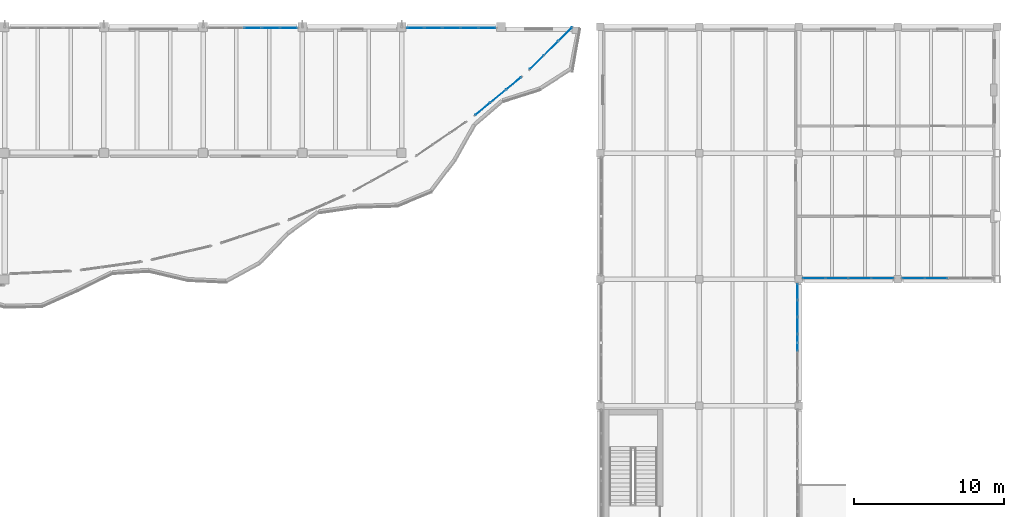
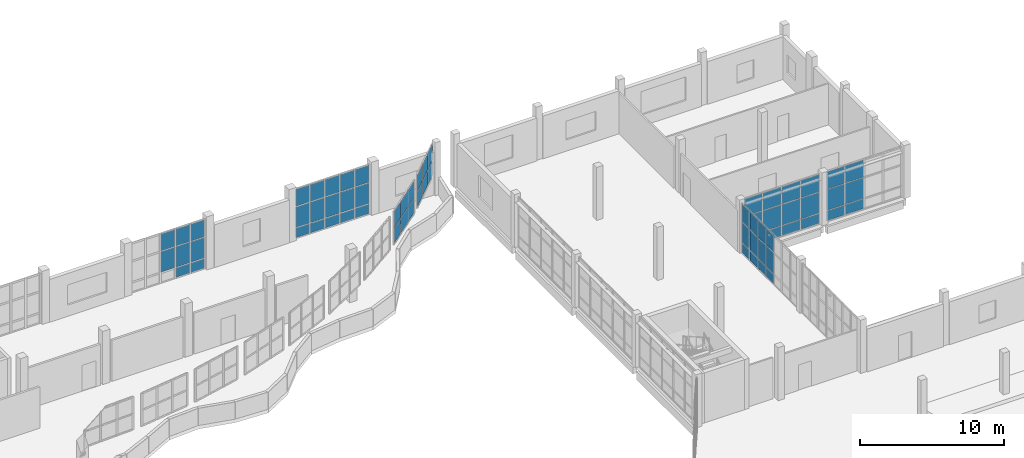
# One storey, part 42 of 76: 65 plates, 7 elements without a shape of their own.
"""IFC4 building model written with IfcOpenShell, lengths in metres."""

from ifc_helpers import new_model, si_unit, direction, frame, origin, origin_2d, place, context, subcontext, project, spatial, rectangle, extrude, material, layer, layer_set, type_object, element, aggregate, save


model = new_model("IFC4")

# Units and contexts
model_context = context("Model", 3, precision=1e-05, world=origin(), true_north=direction((0.0, 1.0)))
body_context = subcontext(model_context, "Body", "Model", "MODEL_VIEW")
ifc_project = project(units=[si_unit("LENGTHUNIT", "METRE"), si_unit("AREAUNIT", "SQUARE_METRE"), si_unit("VOLUMEUNIT", "CUBIC_METRE"), si_unit("PLANEANGLEUNIT", "RADIAN"), si_unit("MASSUNIT", "GRAM", prefix="KILO")], contexts=[model_context])

# Site, building, storey
site_placement = place(None, origin())
site = spatial("IfcSite", under=ifc_project, at=site_placement, CompositionType="ELEMENT")
building_placement = place(site_placement, origin())
building = spatial("IfcBuilding", under=site, at=building_placement, Name="Qaldarim Faculty of Natural and Applied Sciences", CompositionType="ELEMENT")
storey_placement = place(building_placement, frame((0.0, 0.0, 9.89990234375)))
storey = spatial("IfcBuildingStorey", under=building, at=storey_placement, Name="L02", CompositionType="ELEMENT", Elevation=9.89990234375)

# Curtain wall, plates
ifc_material_1 = material(Name="Anodised aluminium AW-6063", Category="aluminium")
curtain_wall_type_1 = type_object("IfcCurtainWallType", Name="CurtainWallSystem-M1200", PredefinedType="USERDEFINED", material=ifc_material_1)
curtain_wall_1_placement = place(storey_placement, origin())
curtain_wall_1 = element("IfcCurtainWall", 1, at=curtain_wall_1_placement, inside=storey, type_object=curtain_wall_type_1, Name="Curtain wall CW-L02-N-X20Y14", ObjectType="STICK CURTAIN WALL", PredefinedType="USERDEFINED")
ifc_material_2 = material(Name="Insulated low-e double glazing", Category="glass")
ifc_layer_1 = layer(ifc_material_2, 0.031982421875)
ifc_layer_set_1 = layer_set([ifc_layer_1], Name="Insulated low-e double glazing")
plate_type_1 = type_object("IfcPlateType", Name="SolarControlGlazingPanel-32", PredefinedType="CURTAIN_PANEL", material=ifc_layer_set_1)
plate_1_placement = place(storey_placement, frame((131.08642578125, 117.52001953125, 0.070068359375), z_axis=(0.0, 0.0, 1.0), x_axis=(-1.0, 0.0, 0.0)))
plate_1 = element("IfcPlate", 2, at=plate_1_placement, type_object=plate_type_1, Name="Glazed panel 1-1 of CW-L02-N-X20Y14", PredefinedType="CURTAIN_PANEL", context=body_context, shape_type="SweptSolid", body=[
    extrude(rectangle(XDim=1.096923828125, YDim=0.031982421875, at=origin_2d()), origin(), (0.0, 0.0, 1.0), 0.794921875),
])
plate_2_placement = place(storey_placement, frame((131.08642578125, 117.52001953125, 0.93505859375), z_axis=(0.0, 0.0, 1.0), x_axis=(-1.0, 0.0, 0.0)))
plate_2 = element("IfcPlate", 3, at=plate_2_placement, type_object=plate_type_1, Name="Glazed panel 1-2 of CW-L02-N-X20Y14", PredefinedType="CURTAIN_PANEL", context=body_context, shape_type="SweptSolid", body=[
    extrude(rectangle(XDim=1.096923828125, YDim=0.031982421875, at=origin_2d()), origin(), (0.0, 0.0, 1.0), 1.72998046875),
])
plate_3_placement = place(storey_placement, frame((131.08642578125, 117.52001953125, 2.735107421875), z_axis=(0.0, 0.0, 1.0), x_axis=(-1.0, 0.0, 0.0)))
plate_3 = element("IfcPlate", 4, at=plate_3_placement, type_object=plate_type_1, Name="Glazed panel 1-3 of CW-L02-N-X20Y14", PredefinedType="CURTAIN_PANEL", context=body_context, shape_type="SweptSolid", body=[
    extrude(rectangle(XDim=1.096923828125, YDim=0.031982421875, at=origin_2d()), origin(), (0.0, 0.0, 1.0), 1.43505859375),
])
plate_4_placement = place(storey_placement, frame((129.902099609375, 117.52001953125, 0.070068359375), z_axis=(0.0, 0.0, 1.0), x_axis=(-1.0, 0.0, 0.0)))
plate_4 = element("IfcPlate", 5, at=plate_4_placement, type_object=plate_type_1, Name="Glazed panel 2-1 of CW-L02-N-X20Y14", PredefinedType="CURTAIN_PANEL", context=body_context, shape_type="SweptSolid", body=[
    extrude(rectangle(XDim=1.132080078125, YDim=0.031982421875, at=origin_2d()), origin(), (0.0, 0.0, 1.0), 0.794921875),
])
plate_5_placement = place(storey_placement, frame((129.902099609375, 117.52001953125, 0.93505859375), z_axis=(0.0, 0.0, 1.0), x_axis=(-1.0, 0.0, 0.0)))
plate_5 = element("IfcPlate", 6, at=plate_5_placement, type_object=plate_type_1, Name="Glazed panel 2-2 of CW-L02-N-X20Y14", PredefinedType="CURTAIN_PANEL", context=body_context, shape_type="SweptSolid", body=[
    extrude(rectangle(XDim=1.132080078125, YDim=0.031982421875, at=origin_2d()), origin(), (0.0, 0.0, 1.0), 1.72998046875),
])
plate_6_placement = place(storey_placement, frame((129.902099609375, 117.52001953125, 2.735107421875), z_axis=(0.0, 0.0, 1.0), x_axis=(-1.0, 0.0, 0.0)))
plate_6 = element("IfcPlate", 7, at=plate_6_placement, type_object=plate_type_1, Name="Glazed panel 2-3 of CW-L02-N-X20Y14", PredefinedType="CURTAIN_PANEL", context=body_context, shape_type="SweptSolid", body=[
    extrude(rectangle(XDim=1.132080078125, YDim=0.031982421875, at=origin_2d()), origin(), (0.0, 0.0, 1.0), 1.43505859375),
])
plate_7_placement = place(storey_placement, frame((128.699951171875, 117.52001953125, 0.93505859375), z_axis=(0.0, 0.0, 1.0), x_axis=(-1.0, 0.0, 0.0)))
plate_7 = element("IfcPlate", 8, at=plate_7_placement, type_object=plate_type_1, Name="Glazed panel 3-2 of CW-L02-N-X20Y14", PredefinedType="CURTAIN_PANEL", context=body_context, shape_type="SweptSolid", body=[
    extrude(rectangle(XDim=1.132080078125, YDim=0.031982421875, at=origin_2d()), origin(), (0.0, 0.0, 1.0), 1.72998046875),
])
plate_8_placement = place(storey_placement, frame((128.699951171875, 117.52001953125, 2.735107421875), z_axis=(0.0, 0.0, 1.0), x_axis=(-1.0, 0.0, 0.0)))
plate_8 = element("IfcPlate", 9, at=plate_8_placement, type_object=plate_type_1, Name="Glazed panel 3-3 of CW-L02-N-X20Y14", PredefinedType="CURTAIN_PANEL", context=body_context, shape_type="SweptSolid", body=[
    extrude(rectangle(XDim=1.132080078125, YDim=0.031982421875, at=origin_2d()), origin(), (0.0, 0.0, 1.0), 1.43505859375),
])
aggregate(curtain_wall_1, [plate_1, plate_2, plate_3, plate_4, plate_5, plate_6, plate_7, plate_8])

curtain_wall_2_placement = place(storey_placement, origin())
curtain_wall_2 = element("IfcCurtainWall", 10, at=curtain_wall_2_placement, inside=storey, type_object=curtain_wall_type_1, Name="Curtain wall CW-L02-N-X22Y14", ObjectType="STICK CURTAIN WALL", PredefinedType="USERDEFINED")
plate_9_placement = place(storey_placement, frame((144.28662109375, 117.52001953125, 0.070068359375), z_axis=(0.0, 0.0, 1.0), x_axis=(-1.0, 0.0, 0.0)))
plate_9 = element("IfcPlate", 11, at=plate_9_placement, type_object=plate_type_1, Name="Glazed panel 1-1 of CW-L02-N-X22Y14", PredefinedType="CURTAIN_PANEL", context=body_context, shape_type="SweptSolid", body=[
    extrude(rectangle(XDim=1.096923828125, YDim=0.031982421875, at=origin_2d()), origin(), (0.0, 0.0, 1.0), 0.794921875),
])
plate_10_placement = place(storey_placement, frame((144.28662109375, 117.52001953125, 0.93505859375), z_axis=(0.0, 0.0, 1.0), x_axis=(-1.0, 0.0, 0.0)))
plate_10 = element("IfcPlate", 12, at=plate_10_placement, type_object=plate_type_1, Name="Glazed panel 1-2 of CW-L02-N-X22Y14", PredefinedType="CURTAIN_PANEL", context=body_context, shape_type="SweptSolid", body=[
    extrude(rectangle(XDim=1.096923828125, YDim=0.031982421875, at=origin_2d()), origin(), (0.0, 0.0, 1.0), 1.72998046875),
])
plate_11_placement = place(storey_placement, frame((144.28662109375, 117.52001953125, 2.735107421875), z_axis=(0.0, 0.0, 1.0), x_axis=(-1.0, 0.0, 0.0)))
plate_11 = element("IfcPlate", 13, at=plate_11_placement, type_object=plate_type_1, Name="Glazed panel 1-3 of CW-L02-N-X22Y14", PredefinedType="CURTAIN_PANEL", context=body_context, shape_type="SweptSolid", body=[
    extrude(rectangle(XDim=1.096923828125, YDim=0.031982421875, at=origin_2d()), origin(), (0.0, 0.0, 1.0), 1.43505859375),
])
plate_12_placement = place(storey_placement, frame((143.10205078125, 117.52001953125, 0.070068359375), z_axis=(0.0, 0.0, 1.0), x_axis=(-1.0, 0.0, 0.0)))
plate_12 = element("IfcPlate", 14, at=plate_12_placement, type_object=plate_type_1, Name="Glazed panel 2-1 of CW-L02-N-X22Y14", PredefinedType="CURTAIN_PANEL", context=body_context, shape_type="SweptSolid", body=[
    extrude(rectangle(XDim=1.132080078125, YDim=0.031982421875, at=origin_2d()), origin(), (0.0, 0.0, 1.0), 0.794921875),
])
plate_13_placement = place(storey_placement, frame((143.10205078125, 117.52001953125, 0.93505859375), z_axis=(0.0, 0.0, 1.0), x_axis=(-1.0, 0.0, 0.0)))
plate_13 = element("IfcPlate", 15, at=plate_13_placement, type_object=plate_type_1, Name="Glazed panel 2-2 of CW-L02-N-X22Y14", PredefinedType="CURTAIN_PANEL", context=body_context, shape_type="SweptSolid", body=[
    extrude(rectangle(XDim=1.132080078125, YDim=0.031982421875, at=origin_2d()), origin(), (0.0, 0.0, 1.0), 1.72998046875),
])
plate_14_placement = place(storey_placement, frame((143.10205078125, 117.52001953125, 2.735107421875), z_axis=(0.0, 0.0, 1.0), x_axis=(-1.0, 0.0, 0.0)))
plate_14 = element("IfcPlate", 16, at=plate_14_placement, type_object=plate_type_1, Name="Glazed panel 2-3 of CW-L02-N-X22Y14", PredefinedType="CURTAIN_PANEL", context=body_context, shape_type="SweptSolid", body=[
    extrude(rectangle(XDim=1.132080078125, YDim=0.031982421875, at=origin_2d()), origin(), (0.0, 0.0, 1.0), 1.43505859375),
])
plate_15_placement = place(storey_placement, frame((141.89990234375, 117.52001953125, 0.070068359375), z_axis=(0.0, 0.0, 1.0), x_axis=(-1.0, 0.0, 0.0)))
plate_15 = element("IfcPlate", 17, at=plate_15_placement, type_object=plate_type_1, Name="Glazed panel 3-1 of CW-L02-N-X22Y14", PredefinedType="CURTAIN_PANEL", context=body_context, shape_type="SweptSolid", body=[
    extrude(rectangle(XDim=1.132080078125, YDim=0.031982421875, at=origin_2d()), origin(), (0.0, 0.0, 1.0), 0.794921875),
])
plate_16_placement = place(storey_placement, frame((141.89990234375, 117.52001953125, 0.93505859375), z_axis=(0.0, 0.0, 1.0), x_axis=(-1.0, 0.0, 0.0)))
plate_16 = element("IfcPlate", 18, at=plate_16_placement, type_object=plate_type_1, Name="Glazed panel 3-2 of CW-L02-N-X22Y14", PredefinedType="CURTAIN_PANEL", context=body_context, shape_type="SweptSolid", body=[
    extrude(rectangle(XDim=1.132080078125, YDim=0.031982421875, at=origin_2d()), origin(), (0.0, 0.0, 1.0), 1.72998046875),
])
plate_17_placement = place(storey_placement, frame((141.89990234375, 117.52001953125, 2.735107421875), z_axis=(0.0, 0.0, 1.0), x_axis=(-1.0, 0.0, 0.0)))
plate_17 = element("IfcPlate", 19, at=plate_17_placement, type_object=plate_type_1, Name="Glazed panel 3-3 of CW-L02-N-X22Y14", PredefinedType="CURTAIN_PANEL", context=body_context, shape_type="SweptSolid", body=[
    extrude(rectangle(XDim=1.132080078125, YDim=0.031982421875, at=origin_2d()), origin(), (0.0, 0.0, 1.0), 1.43505859375),
])
plate_18_placement = place(storey_placement, frame((140.697998046875, 117.52001953125, 0.070068359375), z_axis=(0.0, 0.0, 1.0), x_axis=(-1.0, 0.0, 0.0)))
plate_18 = element("IfcPlate", 20, at=plate_18_placement, type_object=plate_type_1, Name="Glazed panel 4-1 of CW-L02-N-X22Y14", PredefinedType="CURTAIN_PANEL", context=body_context, shape_type="SweptSolid", body=[
    extrude(rectangle(XDim=1.132080078125, YDim=0.031982421875, at=origin_2d()), origin(), (0.0, 0.0, 1.0), 0.794921875),
])
plate_19_placement = place(storey_placement, frame((140.697998046875, 117.52001953125, 0.93505859375), z_axis=(0.0, 0.0, 1.0), x_axis=(-1.0, 0.0, 0.0)))
plate_19 = element("IfcPlate", 21, at=plate_19_placement, type_object=plate_type_1, Name="Glazed panel 4-2 of CW-L02-N-X22Y14", PredefinedType="CURTAIN_PANEL", context=body_context, shape_type="SweptSolid", body=[
    extrude(rectangle(XDim=1.132080078125, YDim=0.031982421875, at=origin_2d()), origin(), (0.0, 0.0, 1.0), 1.72998046875),
])
plate_20_placement = place(storey_placement, frame((140.697998046875, 117.52001953125, 2.735107421875), z_axis=(0.0, 0.0, 1.0), x_axis=(-1.0, 0.0, 0.0)))
plate_20 = element("IfcPlate", 22, at=plate_20_placement, type_object=plate_type_1, Name="Glazed panel 4-3 of CW-L02-N-X22Y14", PredefinedType="CURTAIN_PANEL", context=body_context, shape_type="SweptSolid", body=[
    extrude(rectangle(XDim=1.132080078125, YDim=0.031982421875, at=origin_2d()), origin(), (0.0, 0.0, 1.0), 1.43505859375),
])
plate_21_placement = place(storey_placement, frame((139.513427734375, 117.52001953125, 0.070068359375), z_axis=(0.0, 0.0, 1.0), x_axis=(-1.0, 0.0, 0.0)))
plate_21 = element("IfcPlate", 23, at=plate_21_placement, type_object=plate_type_1, Name="Glazed panel 5-1 of CW-L02-N-X22Y14", PredefinedType="CURTAIN_PANEL", context=body_context, shape_type="SweptSolid", body=[
    extrude(rectangle(XDim=1.096923828125, YDim=0.031982421875, at=origin_2d()), origin(), (0.0, 0.0, 1.0), 0.794921875),
])
plate_22_placement = place(storey_placement, frame((139.513427734375, 117.52001953125, 0.93505859375), z_axis=(0.0, 0.0, 1.0), x_axis=(-1.0, 0.0, 0.0)))
plate_22 = element("IfcPlate", 24, at=plate_22_placement, type_object=plate_type_1, Name="Glazed panel 5-2 of CW-L02-N-X22Y14", PredefinedType="CURTAIN_PANEL", context=body_context, shape_type="SweptSolid", body=[
    extrude(rectangle(XDim=1.096923828125, YDim=0.031982421875, at=origin_2d()), origin(), (0.0, 0.0, 1.0), 1.72998046875),
])
plate_23_placement = place(storey_placement, frame((139.513427734375, 117.52001953125, 2.735107421875), z_axis=(0.0, 0.0, 1.0), x_axis=(-1.0, 0.0, 0.0)))
plate_23 = element("IfcPlate", 25, at=plate_23_placement, type_object=plate_type_1, Name="Glazed panel 5-3 of CW-L02-N-X22Y14", PredefinedType="CURTAIN_PANEL", context=body_context, shape_type="SweptSolid", body=[
    extrude(rectangle(XDim=1.096923828125, YDim=0.031982421875, at=origin_2d()), origin(), (0.0, 0.0, 1.0), 1.43505859375),
])
aggregate(curtain_wall_2, [plate_9, plate_10, plate_11, plate_12, plate_13, plate_14, plate_15, plate_16, plate_17, plate_18, plate_19, plate_20, plate_21, plate_22, plate_23])

curtain_wall_3_placement = place(storey_placement, origin())
curtain_wall_3 = element("IfcCurtainWall", 26, at=curtain_wall_3_placement, inside=storey, type_object=curtain_wall_type_1, Name="Curtain wall CW-L02-E-X25Y12", ObjectType="STICK CURTAIN WALL", PredefinedType="USERDEFINED")
plate_24_placement = place(storey_placement, frame((164.919921875, 96.60009765625, 0.070068359375), z_axis=(0.0, 0.0, 1.0), x_axis=(0.0, 1.0, 0.0)))
plate_24 = element("IfcPlate", 27, at=plate_24_placement, type_object=plate_type_1, Name="Glazed panel 4-1 of CW-L02-E-X25Y12", PredefinedType="CURTAIN_PANEL", context=body_context, shape_type="SweptSolid", body=[
    extrude(rectangle(XDim=1.06005859375, YDim=0.031982421875, at=origin_2d()), origin(), (0.0, 0.0, 1.0), 0.794921875),
])
plate_25_placement = place(storey_placement, frame((164.919921875, 96.60009765625, 0.93505859375), z_axis=(0.0, 0.0, 1.0), x_axis=(0.0, 1.0, 0.0)))
plate_25 = element("IfcPlate", 28, at=plate_25_placement, type_object=plate_type_1, Name="Glazed panel 4-2 of CW-L02-E-X25Y12", PredefinedType="CURTAIN_PANEL", context=body_context, shape_type="SweptSolid", body=[
    extrude(rectangle(XDim=1.06005859375, YDim=0.031982421875, at=origin_2d()), origin(), (0.0, 0.0, 1.0), 1.72998046875),
])
plate_26_placement = place(storey_placement, frame((164.919921875, 96.60009765625, 2.735107421875), z_axis=(0.0, 0.0, 1.0), x_axis=(0.0, 1.0, 0.0)))
plate_26 = element("IfcPlate", 29, at=plate_26_placement, type_object=plate_type_1, Name="Glazed panel 4-3 of CW-L02-E-X25Y12", PredefinedType="CURTAIN_PANEL", context=body_context, shape_type="SweptSolid", body=[
    extrude(rectangle(XDim=1.06005859375, YDim=0.031982421875, at=origin_2d()), origin(), (0.0, 0.0, 1.0), 1.43505859375),
])
plate_27_placement = place(storey_placement, frame((164.919921875, 97.72998046875, 0.070068359375), z_axis=(0.0, 0.0, 1.0), x_axis=(0.0, 1.0, 0.0)))
plate_27 = element("IfcPlate", 30, at=plate_27_placement, type_object=plate_type_1, Name="Glazed panel 5-1 of CW-L02-E-X25Y12", PredefinedType="CURTAIN_PANEL", context=body_context, shape_type="SweptSolid", body=[
    extrude(rectangle(XDim=1.06005859375, YDim=0.031982421875, at=origin_2d()), origin(), (0.0, 0.0, 1.0), 0.794921875),
])
plate_28_placement = place(storey_placement, frame((164.919921875, 97.72998046875, 0.93505859375), z_axis=(0.0, 0.0, 1.0), x_axis=(0.0, 1.0, 0.0)))
plate_28 = element("IfcPlate", 31, at=plate_28_placement, type_object=plate_type_1, Name="Glazed panel 5-2 of CW-L02-E-X25Y12", PredefinedType="CURTAIN_PANEL", context=body_context, shape_type="SweptSolid", body=[
    extrude(rectangle(XDim=1.06005859375, YDim=0.031982421875, at=origin_2d()), origin(), (0.0, 0.0, 1.0), 1.72998046875),
])
plate_29_placement = place(storey_placement, frame((164.919921875, 97.72998046875, 2.735107421875), z_axis=(0.0, 0.0, 1.0), x_axis=(0.0, 1.0, 0.0)))
plate_29 = element("IfcPlate", 32, at=plate_29_placement, type_object=plate_type_1, Name="Glazed panel 5-3 of CW-L02-E-X25Y12", PredefinedType="CURTAIN_PANEL", context=body_context, shape_type="SweptSolid", body=[
    extrude(rectangle(XDim=1.06005859375, YDim=0.031982421875, at=origin_2d()), origin(), (0.0, 0.0, 1.0), 1.43505859375),
])
plate_30_placement = place(storey_placement, frame((164.919921875, 98.860107421875, 0.070068359375), z_axis=(0.0, 0.0, 1.0), x_axis=(0.0, 1.0, 0.0)))
plate_30 = element("IfcPlate", 33, at=plate_30_placement, type_object=plate_type_1, Name="Glazed panel 6-1 of CW-L02-E-X25Y12", PredefinedType="CURTAIN_PANEL", context=body_context, shape_type="SweptSolid", body=[
    extrude(rectangle(XDim=1.06005859375, YDim=0.031982421875, at=origin_2d()), origin(), (0.0, 0.0, 1.0), 0.794921875),
])
plate_31_placement = place(storey_placement, frame((164.919921875, 98.860107421875, 0.93505859375), z_axis=(0.0, 0.0, 1.0), x_axis=(0.0, 1.0, 0.0)))
plate_31 = element("IfcPlate", 34, at=plate_31_placement, type_object=plate_type_1, Name="Glazed panel 6-2 of CW-L02-E-X25Y12", PredefinedType="CURTAIN_PANEL", context=body_context, shape_type="SweptSolid", body=[
    extrude(rectangle(XDim=1.06005859375, YDim=0.031982421875, at=origin_2d()), origin(), (0.0, 0.0, 1.0), 1.72998046875),
])
plate_32_placement = place(storey_placement, frame((164.919921875, 98.860107421875, 2.735107421875), z_axis=(0.0, 0.0, 1.0), x_axis=(0.0, 1.0, 0.0)))
plate_32 = element("IfcPlate", 35, at=plate_32_placement, type_object=plate_type_1, Name="Glazed panel 6-3 of CW-L02-E-X25Y12", PredefinedType="CURTAIN_PANEL", context=body_context, shape_type="SweptSolid", body=[
    extrude(rectangle(XDim=1.06005859375, YDim=0.031982421875, at=origin_2d()), origin(), (0.0, 0.0, 1.0), 1.43505859375),
])
plate_33_placement = place(storey_placement, frame((164.919921875, 99.972412109375, 0.070068359375), z_axis=(0.0, 0.0, 1.0), x_axis=(0.0, 1.0, 0.0)))
plate_33 = element("IfcPlate", 36, at=plate_33_placement, type_object=plate_type_1, Name="Glazed panel 7-1 of CW-L02-E-X25Y12", PredefinedType="CURTAIN_PANEL", context=body_context, shape_type="SweptSolid", body=[
    extrude(rectangle(XDim=1.02490234375, YDim=0.031982421875, at=origin_2d()), origin(), (0.0, 0.0, 1.0), 0.794921875),
])
plate_34_placement = place(storey_placement, frame((164.919921875, 99.972412109375, 0.93505859375), z_axis=(0.0, 0.0, 1.0), x_axis=(0.0, 1.0, 0.0)))
plate_34 = element("IfcPlate", 37, at=plate_34_placement, type_object=plate_type_1, Name="Glazed panel 7-2 of CW-L02-E-X25Y12", PredefinedType="CURTAIN_PANEL", context=body_context, shape_type="SweptSolid", body=[
    extrude(rectangle(XDim=1.02490234375, YDim=0.031982421875, at=origin_2d()), origin(), (0.0, 0.0, 1.0), 1.72998046875),
])
plate_35_placement = place(storey_placement, frame((164.919921875, 99.972412109375, 2.735107421875), z_axis=(0.0, 0.0, 1.0), x_axis=(0.0, 1.0, 0.0)))
plate_35 = element("IfcPlate", 38, at=plate_35_placement, type_object=plate_type_1, Name="Glazed panel 7-3 of CW-L02-E-X25Y12", PredefinedType="CURTAIN_PANEL", context=body_context, shape_type="SweptSolid", body=[
    extrude(rectangle(XDim=1.02490234375, YDim=0.031982421875, at=origin_2d()), origin(), (0.0, 0.0, 1.0), 1.43505859375),
])
aggregate(curtain_wall_3, [plate_24, plate_25, plate_26, plate_27, plate_28, plate_29, plate_30, plate_31, plate_32, plate_33, plate_34, plate_35])

curtain_wall_type_2 = type_object("IfcCurtainWallType", Name="CurtainWallSystem-M1600", PredefinedType="USERDEFINED", material=ifc_material_1)
curtain_wall_4_placement = place(storey_placement, origin())
curtain_wall_4 = element("IfcCurtainWall", 39, at=curtain_wall_4_placement, inside=storey, type_object=curtain_wall_type_2, Name="Curtain wall CW-L02-S-X26Y13", ObjectType="UNITISED FACADE", PredefinedType="USERDEFINED")
ifc_layer_2 = layer(ifc_material_2, 0.028076171875)
ifc_layer_set_2 = layer_set([ifc_layer_2], Name="Insulated low-e double glazing")
plate_type_2 = type_object("IfcPlateType", Name="VisionGlazingPanel-28", PredefinedType="CURTAIN_PANEL", material=ifc_layer_set_2)
plate_36_placement = place(storey_placement, frame((166.023681640625, 100.8798828125, 0.06005859375), z_axis=(0.0, 0.0, 1.0), x_axis=(1.0, 0.0, 0.0)))
plate_36 = element("IfcPlate", 40, at=plate_36_placement, type_object=plate_type_2, Name="Glazed panel 1-1 of CW-L02-S-X26Y13", PredefinedType="CURTAIN_PANEL", context=body_context, shape_type="SweptSolid", body=[
    extrude(rectangle(XDim=1.4375, YDim=0.028076171875, at=origin_2d()), origin(), (0.0, 0.0, 1.0), 0.81005859375),
])
plate_37_placement = place(storey_placement, frame((166.023681640625, 100.8798828125, 0.93017578125), z_axis=(0.0, 0.0, 1.0), x_axis=(1.0, 0.0, 0.0)))
plate_37 = element("IfcPlate", 41, at=plate_37_placement, type_object=plate_type_2, Name="Glazed panel 1-2 of CW-L02-S-X26Y13", PredefinedType="CURTAIN_PANEL", context=body_context, shape_type="SweptSolid", body=[
    extrude(rectangle(XDim=1.4375, YDim=0.028076171875, at=origin_2d()), origin(), (0.0, 0.0, 1.0), 1.739990234375),
])
plate_38_placement = place(storey_placement, frame((166.023681640625, 100.8798828125, 2.72998046875), z_axis=(0.0, 0.0, 1.0), x_axis=(1.0, 0.0, 0.0)))
plate_38 = element("IfcPlate", 42, at=plate_38_placement, type_object=plate_type_2, Name="Glazed panel 1-3 of CW-L02-S-X26Y13", PredefinedType="CURTAIN_PANEL", context=body_context, shape_type="SweptSolid", body=[
    extrude(rectangle(XDim=1.4375, YDim=0.028076171875, at=origin_2d()), origin(), (0.0, 0.0, 1.0), 1.449951171875),
])
plate_39_placement = place(storey_placement, frame((167.5361328125, 100.8798828125, 0.06005859375), z_axis=(0.0, 0.0, 1.0), x_axis=(1.0, 0.0, 0.0)))
plate_39 = element("IfcPlate", 43, at=plate_39_placement, type_object=plate_type_2, Name="Glazed panel 2-1 of CW-L02-S-X26Y13", PredefinedType="CURTAIN_PANEL", context=body_context, shape_type="SweptSolid", body=[
    extrude(rectangle(XDim=1.467529296875, YDim=0.028076171875, at=origin_2d()), origin(), (0.0, 0.0, 1.0), 0.81005859375),
])
plate_40_placement = place(storey_placement, frame((167.5361328125, 100.8798828125, 0.93017578125), z_axis=(0.0, 0.0, 1.0), x_axis=(1.0, 0.0, 0.0)))
plate_40 = element("IfcPlate", 44, at=plate_40_placement, type_object=plate_type_2, Name="Glazed panel 2-2 of CW-L02-S-X26Y13", PredefinedType="CURTAIN_PANEL", context=body_context, shape_type="SweptSolid", body=[
    extrude(rectangle(XDim=1.467529296875, YDim=0.028076171875, at=origin_2d()), origin(), (0.0, 0.0, 1.0), 1.739990234375),
])
plate_41_placement = place(storey_placement, frame((167.5361328125, 100.8798828125, 2.72998046875), z_axis=(0.0, 0.0, 1.0), x_axis=(1.0, 0.0, 0.0)))
plate_41 = element("IfcPlate", 45, at=plate_41_placement, type_object=plate_type_2, Name="Glazed panel 2-3 of CW-L02-S-X26Y13", PredefinedType="CURTAIN_PANEL", context=body_context, shape_type="SweptSolid", body=[
    extrude(rectangle(XDim=1.467529296875, YDim=0.028076171875, at=origin_2d()), origin(), (0.0, 0.0, 1.0), 1.449951171875),
])
plate_42_placement = place(storey_placement, frame((169.063720703125, 100.8798828125, 0.06005859375), z_axis=(0.0, 0.0, 1.0), x_axis=(1.0, 0.0, 0.0)))
plate_42 = element("IfcPlate", 46, at=plate_42_placement, type_object=plate_type_2, Name="Glazed panel 3-1 of CW-L02-S-X26Y13", PredefinedType="CURTAIN_PANEL", context=body_context, shape_type="SweptSolid", body=[
    extrude(rectangle(XDim=1.467529296875, YDim=0.028076171875, at=origin_2d()), origin(), (0.0, 0.0, 1.0), 0.81005859375),
])
plate_43_placement = place(storey_placement, frame((169.063720703125, 100.8798828125, 0.93017578125), z_axis=(0.0, 0.0, 1.0), x_axis=(1.0, 0.0, 0.0)))
plate_43 = element("IfcPlate", 47, at=plate_43_placement, type_object=plate_type_2, Name="Glazed panel 3-2 of CW-L02-S-X26Y13", PredefinedType="CURTAIN_PANEL", context=body_context, shape_type="SweptSolid", body=[
    extrude(rectangle(XDim=1.467529296875, YDim=0.028076171875, at=origin_2d()), origin(), (0.0, 0.0, 1.0), 1.739990234375),
])
plate_44_placement = place(storey_placement, frame((169.063720703125, 100.8798828125, 2.72998046875), z_axis=(0.0, 0.0, 1.0), x_axis=(1.0, 0.0, 0.0)))
plate_44 = element("IfcPlate", 48, at=plate_44_placement, type_object=plate_type_2, Name="Glazed panel 3-3 of CW-L02-S-X26Y13", PredefinedType="CURTAIN_PANEL", context=body_context, shape_type="SweptSolid", body=[
    extrude(rectangle(XDim=1.467529296875, YDim=0.028076171875, at=origin_2d()), origin(), (0.0, 0.0, 1.0), 1.449951171875),
])
plate_45_placement = place(storey_placement, frame((170.576171875, 100.8798828125, 0.06005859375), z_axis=(0.0, 0.0, 1.0), x_axis=(1.0, 0.0, 0.0)))
plate_45 = element("IfcPlate", 49, at=plate_45_placement, type_object=plate_type_2, Name="Glazed panel 4-1 of CW-L02-S-X26Y13", PredefinedType="CURTAIN_PANEL", context=body_context, shape_type="SweptSolid", body=[
    extrude(rectangle(XDim=1.4375, YDim=0.028076171875, at=origin_2d()), origin(), (0.0, 0.0, 1.0), 0.81005859375),
])
plate_46_placement = place(storey_placement, frame((170.576171875, 100.8798828125, 0.93017578125), z_axis=(0.0, 0.0, 1.0), x_axis=(1.0, 0.0, 0.0)))
plate_46 = element("IfcPlate", 50, at=plate_46_placement, type_object=plate_type_2, Name="Glazed panel 4-2 of CW-L02-S-X26Y13", PredefinedType="CURTAIN_PANEL", context=body_context, shape_type="SweptSolid", body=[
    extrude(rectangle(XDim=1.4375, YDim=0.028076171875, at=origin_2d()), origin(), (0.0, 0.0, 1.0), 1.739990234375),
])
plate_47_placement = place(storey_placement, frame((170.576171875, 100.8798828125, 2.72998046875), z_axis=(0.0, 0.0, 1.0), x_axis=(1.0, 0.0, 0.0)))
plate_47 = element("IfcPlate", 51, at=plate_47_placement, type_object=plate_type_2, Name="Glazed panel 4-3 of CW-L02-S-X26Y13", PredefinedType="CURTAIN_PANEL", context=body_context, shape_type="SweptSolid", body=[
    extrude(rectangle(XDim=1.4375, YDim=0.028076171875, at=origin_2d()), origin(), (0.0, 0.0, 1.0), 1.449951171875),
])
aggregate(curtain_wall_4, [plate_36, plate_37, plate_38, plate_39, plate_40, plate_41, plate_42, plate_43, plate_44, plate_45, plate_46, plate_47])

curtain_wall_5_placement = place(storey_placement, origin())
curtain_wall_5 = element("IfcCurtainWall", 52, at=curtain_wall_5_placement, inside=storey, type_object=curtain_wall_type_2, Name="Curtain wall CW-L02-S-X27Y13", ObjectType="UNITISED FACADE", PredefinedType="USERDEFINED")
plate_48_placement = place(storey_placement, frame((172.623779296875, 100.8798828125, 0.06005859375), z_axis=(0.0, 0.0, 1.0), x_axis=(1.0, 0.0, 0.0)))
plate_48 = element("IfcPlate", 53, at=plate_48_placement, type_object=plate_type_2, Name="Glazed panel 1-1 of CW-L02-S-X27Y13", PredefinedType="CURTAIN_PANEL", context=body_context, shape_type="SweptSolid", body=[
    extrude(rectangle(XDim=1.4375, YDim=0.028076171875, at=origin_2d()), origin(), (0.0, 0.0, 1.0), 0.81005859375),
])
plate_49_placement = place(storey_placement, frame((172.623779296875, 100.8798828125, 0.93017578125), z_axis=(0.0, 0.0, 1.0), x_axis=(1.0, 0.0, 0.0)))
plate_49 = element("IfcPlate", 54, at=plate_49_placement, type_object=plate_type_2, Name="Glazed panel 1-2 of CW-L02-S-X27Y13", PredefinedType="CURTAIN_PANEL", context=body_context, shape_type="SweptSolid", body=[
    extrude(rectangle(XDim=1.4375, YDim=0.028076171875, at=origin_2d()), origin(), (0.0, 0.0, 1.0), 1.739990234375),
])
plate_50_placement = place(storey_placement, frame((172.623779296875, 100.8798828125, 2.72998046875), z_axis=(0.0, 0.0, 1.0), x_axis=(1.0, 0.0, 0.0)))
plate_50 = element("IfcPlate", 55, at=plate_50_placement, type_object=plate_type_2, Name="Glazed panel 1-3 of CW-L02-S-X27Y13", PredefinedType="CURTAIN_PANEL", context=body_context, shape_type="SweptSolid", body=[
    extrude(rectangle(XDim=1.4375, YDim=0.028076171875, at=origin_2d()), origin(), (0.0, 0.0, 1.0), 1.449951171875),
])
plate_51_placement = place(storey_placement, frame((174.13623046875, 100.8798828125, 0.06005859375), z_axis=(0.0, 0.0, 1.0), x_axis=(1.0, 0.0, 0.0)))
plate_51 = element("IfcPlate", 56, at=plate_51_placement, type_object=plate_type_2, Name="Glazed panel 2-1 of CW-L02-S-X27Y13", PredefinedType="CURTAIN_PANEL", context=body_context, shape_type="SweptSolid", body=[
    extrude(rectangle(XDim=1.467529296875, YDim=0.028076171875, at=origin_2d()), origin(), (0.0, 0.0, 1.0), 0.81005859375),
])
plate_52_placement = place(storey_placement, frame((174.13623046875, 100.8798828125, 0.93017578125), z_axis=(0.0, 0.0, 1.0), x_axis=(1.0, 0.0, 0.0)))
plate_52 = element("IfcPlate", 57, at=plate_52_placement, type_object=plate_type_2, Name="Glazed panel 2-2 of CW-L02-S-X27Y13", PredefinedType="CURTAIN_PANEL", context=body_context, shape_type="SweptSolid", body=[
    extrude(rectangle(XDim=1.467529296875, YDim=0.028076171875, at=origin_2d()), origin(), (0.0, 0.0, 1.0), 1.739990234375),
])
plate_53_placement = place(storey_placement, frame((174.13623046875, 100.8798828125, 2.72998046875), z_axis=(0.0, 0.0, 1.0), x_axis=(1.0, 0.0, 0.0)))
plate_53 = element("IfcPlate", 58, at=plate_53_placement, type_object=plate_type_2, Name="Glazed panel 2-3 of CW-L02-S-X27Y13", PredefinedType="CURTAIN_PANEL", context=body_context, shape_type="SweptSolid", body=[
    extrude(rectangle(XDim=1.467529296875, YDim=0.028076171875, at=origin_2d()), origin(), (0.0, 0.0, 1.0), 1.449951171875),
])
aggregate(curtain_wall_5, [plate_48, plate_49, plate_50, plate_51, plate_52, plate_53])

curtain_wall_type_3 = type_object("IfcCurtainWallType", Name="CurtainWallSystem-M1400", PredefinedType="USERDEFINED", material=ifc_material_1)
curtain_wall_6_placement = place(storey_placement, origin())
curtain_wall_6 = element("IfcCurtainWall", 59, at=curtain_wall_6_placement, inside=storey, type_object=curtain_wall_type_3, Name="Curtain wall CW-V4ARC-L02-14", ObjectType="STICK CURTAIN WALL", PredefinedType="USERDEFINED")
plate_54_placement = place(storey_placement, frame((143.9873046875, 112.138671875, 1.51025390625), z_axis=(0.0, 0.0, 1.0), x_axis=(0.771746687418, 0.635930067271, 0.0)))
plate_54 = element("IfcPlate", 60, at=plate_54_placement, type_object=plate_type_2, Name="Glazed panel 1-1 of CW-V4ARC-L02-14", PredefinedType="CURTAIN_PANEL", context=body_context, shape_type="SweptSolid", body=[
    extrude(rectangle(XDim=1.259765625, YDim=0.028076171875, at=origin_2d()), origin(), (0.0, 0.0, 1.0), 1.260009765625),
])
plate_55_placement = place(storey_placement, frame((143.9873046875, 112.138671875, 2.830078125), z_axis=(0.0, 0.0, 1.0), x_axis=(0.771746687418, 0.635930067271, 0.0)))
plate_55 = element("IfcPlate", 61, at=plate_55_placement, type_object=plate_type_2, Name="Glazed panel 1-2 of CW-V4ARC-L02-14", PredefinedType="CURTAIN_PANEL", context=body_context, shape_type="SweptSolid", body=[
    extrude(rectangle(XDim=1.259765625, YDim=0.028076171875, at=origin_2d()), origin(), (0.0, 0.0, 1.0), 1.35009765625),
])
plate_56_placement = place(storey_placement, frame((145.017578125, 112.987548828125, 1.51025390625), z_axis=(0.0, 0.0, 1.0), x_axis=(0.771746687418, 0.635930067271, 0.0)))
plate_56 = element("IfcPlate", 62, at=plate_56_placement, type_object=plate_type_2, Name="Glazed panel 2-1 of CW-V4ARC-L02-14", PredefinedType="CURTAIN_PANEL", context=body_context, shape_type="SweptSolid", body=[
    extrude(rectangle(XDim=1.289794921875, YDim=0.028076171875, at=origin_2d()), origin(), (0.0, 0.0, 1.0), 1.260009765625),
])
plate_57_placement = place(storey_placement, frame((145.017578125, 112.987548828125, 2.830078125), z_axis=(0.0, 0.0, 1.0), x_axis=(0.771746687418, 0.635930067271, 0.0)))
plate_57 = element("IfcPlate", 63, at=plate_57_placement, type_object=plate_type_2, Name="Glazed panel 2-2 of CW-V4ARC-L02-14", PredefinedType="CURTAIN_PANEL", context=body_context, shape_type="SweptSolid", body=[
    extrude(rectangle(XDim=1.289794921875, YDim=0.028076171875, at=origin_2d()), origin(), (0.0, 0.0, 1.0), 1.35009765625),
])
plate_58_placement = place(storey_placement, frame((146.047607421875, 113.836181640625, 1.51025390625), z_axis=(0.0, 0.0, 1.0), x_axis=(0.771746687418, 0.635930067271, 0.0)))
plate_58 = element("IfcPlate", 64, at=plate_58_placement, type_object=plate_type_2, Name="Glazed panel 3-1 of CW-V4ARC-L02-14", PredefinedType="CURTAIN_PANEL", context=body_context, shape_type="SweptSolid", body=[
    extrude(rectangle(XDim=1.259765625, YDim=0.028076171875, at=origin_2d()), origin(), (0.0, 0.0, 1.0), 1.260009765625),
])
plate_59_placement = place(storey_placement, frame((146.047607421875, 113.836181640625, 2.830078125), z_axis=(0.0, 0.0, 1.0), x_axis=(0.771746687418, 0.635930067271, 0.0)))
plate_59 = element("IfcPlate", 65, at=plate_59_placement, type_object=plate_type_2, Name="Glazed panel 3-2 of CW-V4ARC-L02-14", PredefinedType="CURTAIN_PANEL", context=body_context, shape_type="SweptSolid", body=[
    extrude(rectangle(XDim=1.259765625, YDim=0.028076171875, at=origin_2d()), origin(), (0.0, 0.0, 1.0), 1.35009765625),
])
aggregate(curtain_wall_6, [plate_54, plate_55, plate_56, plate_57, plate_58, plate_59])

curtain_wall_7_placement = place(storey_placement, origin())
curtain_wall_7 = element("IfcCurtainWall", 66, at=curtain_wall_7_placement, inside=storey, type_object=curtain_wall_type_3, Name="Curtain wall CW-V4ARC-L02-16", ObjectType="STICK CURTAIN WALL", PredefinedType="USERDEFINED")
plate_60_placement = place(storey_placement, frame((147.584716796875, 115.2255859375, 1.51025390625), z_axis=(0.0, 0.0, 1.0), x_axis=(0.710185375623, 0.704014724456, 0.0)))
plate_60 = element("IfcPlate", 67, at=plate_60_placement, type_object=plate_type_2, Name="Glazed panel 1-1 of CW-V4ARC-L02-16", PredefinedType="CURTAIN_PANEL", context=body_context, shape_type="SweptSolid", body=[
    extrude(rectangle(XDim=1.259521484375, YDim=0.028076171875, at=origin_2d()), origin(), (0.0, 0.0, 1.0), 1.260009765625),
])
plate_61_placement = place(storey_placement, frame((147.584716796875, 115.2255859375, 2.830078125), z_axis=(0.0, 0.0, 1.0), x_axis=(0.710185375623, 0.704014724456, 0.0)))
plate_61 = element("IfcPlate", 68, at=plate_61_placement, type_object=plate_type_2, Name="Glazed panel 1-2 of CW-V4ARC-L02-16", PredefinedType="CURTAIN_PANEL", context=body_context, shape_type="SweptSolid", body=[
    extrude(rectangle(XDim=1.259521484375, YDim=0.028076171875, at=origin_2d()), origin(), (0.0, 0.0, 1.0), 1.35009765625),
])
plate_62_placement = place(storey_placement, frame((148.532470703125, 116.1650390625, 1.51025390625), z_axis=(0.0, 0.0, 1.0), x_axis=(0.710185375623, 0.704014724456, 0.0)))
plate_62 = element("IfcPlate", 69, at=plate_62_placement, type_object=plate_type_2, Name="Glazed panel 2-1 of CW-V4ARC-L02-16", PredefinedType="CURTAIN_PANEL", context=body_context, shape_type="SweptSolid", body=[
    extrude(rectangle(XDim=1.289306640625, YDim=0.028076171875, at=origin_2d()), origin(), (0.0, 0.0, 1.0), 1.260009765625),
])
plate_63_placement = place(storey_placement, frame((148.532470703125, 116.1650390625, 2.830078125), z_axis=(0.0, 0.0, 1.0), x_axis=(0.710185375623, 0.704014724456, 0.0)))
plate_63 = element("IfcPlate", 70, at=plate_63_placement, type_object=plate_type_2, Name="Glazed panel 2-2 of CW-V4ARC-L02-16", PredefinedType="CURTAIN_PANEL", context=body_context, shape_type="SweptSolid", body=[
    extrude(rectangle(XDim=1.289306640625, YDim=0.028076171875, at=origin_2d()), origin(), (0.0, 0.0, 1.0), 1.35009765625),
])
plate_64_placement = place(storey_placement, frame((149.480224609375, 117.1044921875, 1.51025390625), z_axis=(0.0, 0.0, 1.0), x_axis=(0.710185375623, 0.704014724456, 0.0)))
plate_64 = element("IfcPlate", 71, at=plate_64_placement, type_object=plate_type_2, Name="Glazed panel 3-1 of CW-V4ARC-L02-16", PredefinedType="CURTAIN_PANEL", context=body_context, shape_type="SweptSolid", body=[
    extrude(rectangle(XDim=1.259521484375, YDim=0.028076171875, at=origin_2d()), origin(), (0.0, 0.0, 1.0), 1.260009765625),
])
plate_65_placement = place(storey_placement, frame((149.480224609375, 117.1044921875, 2.830078125), z_axis=(0.0, 0.0, 1.0), x_axis=(0.710185375623, 0.704014724456, 0.0)))
plate_65 = element("IfcPlate", 72, at=plate_65_placement, type_object=plate_type_2, Name="Glazed panel 3-2 of CW-V4ARC-L02-16", PredefinedType="CURTAIN_PANEL", context=body_context, shape_type="SweptSolid", body=[
    extrude(rectangle(XDim=1.259521484375, YDim=0.028076171875, at=origin_2d()), origin(), (0.0, 0.0, 1.0), 1.35009765625),
])
aggregate(curtain_wall_7, [plate_60, plate_61, plate_62, plate_63, plate_64, plate_65])

save(model, "model.ifc")
